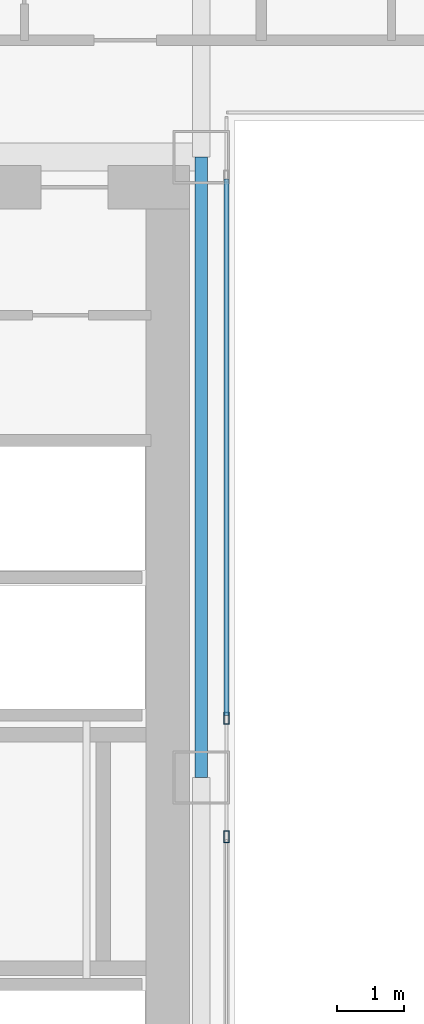
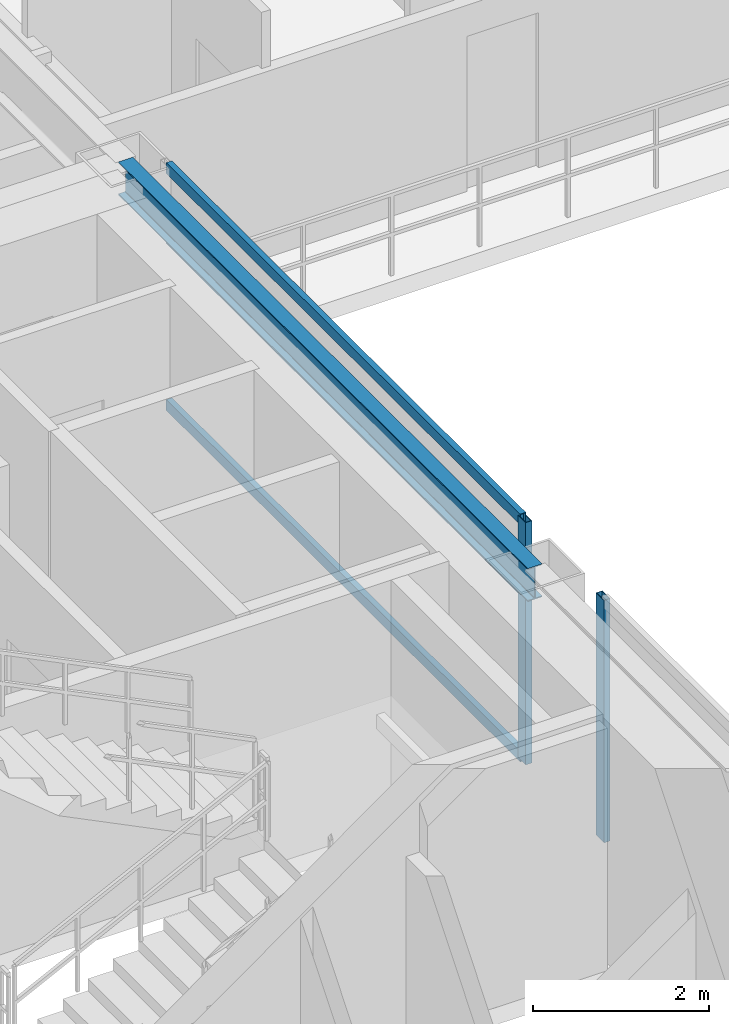
# One storey, part 10 of 39: 5 members, 1 beam, 2 elements without a shape of their own.
"""IFC4 building model written with IfcOpenShell, lengths in metres."""

from ifc_helpers import new_model, si_unit, direction, frame, origin, origin_2d, place, context, subcontext, project, spatial, hollow_rectangle, i_section, extrude, source, transform, mapped, material, layer, layer_set, material_profile, profile_set, type_object, element, aggregate, save


model = new_model("IFC4")

# Units and contexts
model_context = context("Model", 3, precision=1e-05, world=origin(), true_north=direction((0.0, 1.0)))
body_context = subcontext(model_context, "Body", "Model", "MODEL_VIEW")
ifc_project = project(units=[si_unit("LENGTHUNIT", "METRE"), si_unit("AREAUNIT", "SQUARE_METRE"), si_unit("VOLUMEUNIT", "CUBIC_METRE"), si_unit("PLANEANGLEUNIT", "RADIAN"), si_unit("MASSUNIT", "GRAM", prefix="KILO")], contexts=[model_context])

# Site, building, storey
site_placement = place(None, origin())
site = spatial("IfcSite", under=ifc_project, at=site_placement, CompositionType="ELEMENT")
building_placement = place(site_placement, origin())
building = spatial("IfcBuilding", under=site, at=building_placement, Name="Ocotamira Hotel", CompositionType="ELEMENT")
storey_placement = place(building_placement, frame((0.0, 0.0, 104.39990234375)))
storey = spatial("IfcBuildingStorey", under=building, at=storey_placement, Name="L25", CompositionType="ELEMENT", Elevation=104.39990234375)

# Beam
ifc_material_1 = material(Name="Steel ASTM A992 Grade 50", Category="steel")
ifc_material_profile_1 = material_profile(ifc_material_1, i_section(OverallWidth=0.18994140625, OverallDepth=0.45703125, WebThickness=0.009033203125, FlangeThickness=0.014404296875, FilletRadius=0.010009765625, at=origin_2d()), Name="W18X50")
ifc_profile_set_1 = profile_set([ifc_material_profile_1], Name="Steel ASTM A992 Grade 50")
beam_type = type_object("IfcBeamType", Name="BM-SEC-W18X50", PredefinedType="JOIST", material=ifc_profile_set_1)
shared_shape_1 = source(origin(), body_context, "Body", "SweptSolid", [
    extrude(i_section(OverallWidth=0.18994140625, OverallDepth=0.45703125, WebThickness=0.009033203125, FlangeThickness=0.014404296875, FilletRadius=0.010009765625, at=origin_2d()), origin(), (0.0, 0.0, 1.0), 9.300048828125),
])
beam_placement = place(storey_placement, frame((23.5, 28.14990234375, 3.131591796875), z_axis=(0.0, 1.0, 0.0), x_axis=(-1.0, 0.0, 0.0)))
element("IfcBeam", 1, at=beam_placement, inside=storey, type_object=beam_type, Name="L25 Beam X23.5 Y28.15-37.45", PredefinedType="JOIST", context=body_context, shape_type="MappedRepresentation", body=[
    mapped(shared_shape_1, transform((0.0, 0.0, 0.0), scale=1.0)),
])

# Curtain wall, members
ifc_material_2 = material(Name="Anodised pale-metal aluminium and solar glass", Category="aluminium")
ifc_layer = layer(ifc_material_2, 0.159912109375)
ifc_layer_set = layer_set([ifc_layer], Name="Anodised pale-metal aluminium and solar glass")
curtain_wall_type = type_object("IfcCurtainWallType", Name="CW-SYS6-ATR", PredefinedType="NOTDEFINED", material=ifc_layer_set)
curtain_wall_1_placement = place(storey_placement, origin())
curtain_wall_1 = element("IfcCurtainWall", 2, at=curtain_wall_1_placement, inside=storey, type_object=curtain_wall_type, Name="L25 Curtain Wall CW-6 CW-L25-ATRW2", PredefinedType="NOTDEFINED")
ifc_material_3 = material(Name="Anodised pale-metal aluminium 6063-T6", Category="aluminium")
ifc_material_profile_2 = material_profile(ifc_material_3, hollow_rectangle(XDim=0.074951171875, YDim=0.14990234375, WallThickness=0.006103515625, at=origin_2d()), Name="HSS150X75X6")
ifc_profile_set_2 = profile_set([ifc_material_profile_2], Name="Anodised pale-metal aluminium 6063-T6")
member_type_1 = type_object("IfcMemberType", Name="CWT-150X75", PredefinedType="USERDEFINED", material=ifc_profile_set_2)
shared_shape_2 = source(origin(), body_context, "Body", "SweptSolid", [
    extrude(hollow_rectangle(XDim=0.074951171875, YDim=0.14990234375, WallThickness=0.006103515625, at=origin_2d()), origin(), (0.0, 0.0, 1.0), 8.0400390625),
])
member_1_placement = place(storey_placement, frame((23.8798828125, 29.080078125, 0.03759765625), z_axis=(0.0, 1.0, 0.0), x_axis=(-1.0, 0.0, 0.0)))
member_1 = element("IfcMember", 3, at=member_1_placement, type_object=member_type_1, Name="CW-6 transom 1.1", ObjectType="TRANSOM", PredefinedType="USERDEFINED", context=body_context, shape_type="MappedRepresentation", body=[
    mapped(shared_shape_2, transform((0.0, 0.0, 0.0), scale=1.0)),
])
member_2_placement = place(storey_placement, frame((23.8798828125, 29.080078125, 2.35009765625), z_axis=(0.0, 1.0, 0.0), x_axis=(-1.0, 0.0, 0.0)))
member_2 = element("IfcMember", 4, at=member_2_placement, type_object=member_type_1, Name="CW-6 transom 1.2", ObjectType="TRANSOM", PredefinedType="USERDEFINED", context=body_context, shape_type="MappedRepresentation", body=[
    mapped(shared_shape_2, transform((0.0, 0.0, 0.0), scale=1.0)),
])
member_3_placement = place(storey_placement, frame((23.8798828125, 29.080078125, 3.322509765625), z_axis=(0.0, 1.0, 0.0), x_axis=(-1.0, 0.0, 0.0)))
member_3 = element("IfcMember", 5, at=member_3_placement, type_object=member_type_1, Name="CW-6 transom 1.3", ObjectType="TRANSOM", PredefinedType="USERDEFINED", context=body_context, shape_type="MappedRepresentation", body=[
    mapped(shared_shape_2, transform((0.0, 0.0, 0.0), scale=1.0)),
])

# Curtain wall, member
curtain_wall_2_placement = place(storey_placement, origin())
curtain_wall_2 = element("IfcCurtainWall", 6, at=curtain_wall_2_placement, inside=storey, type_object=curtain_wall_type, Name="L25 Curtain Wall CW-6 CW-L25-ATRW1", PredefinedType="NOTDEFINED")
ifc_material_profile_3 = material_profile(ifc_material_3, hollow_rectangle(XDim=0.080078125, YDim=0.179931640625, WallThickness=0.006103515625, at=origin_2d()), Name="HSS180X80X6")
ifc_profile_set_3 = profile_set([ifc_material_profile_3], Name="Anodised pale-metal aluminium 6063-T6")
member_type_2 = type_object("IfcMemberType", Name="CWM-180X75", PredefinedType="MULLION", material=ifc_profile_set_3)
shared_shape_3 = source(origin(), body_context, "Body", "SweptSolid", [
    extrude(hollow_rectangle(XDim=0.080078125, YDim=0.179931640625, WallThickness=0.006103515625, at=origin_2d()), origin(), (0.0, 0.0, 1.0), 3.360107421875),
])
member_4_placement = place(storey_placement, frame((23.8798828125, 27.260009765625, 0.0), z_axis=(0.0, 0.0, 1.0), x_axis=(-1.0, 0.0, 0.0)))
member_4 = element("IfcMember", 7, at=member_4_placement, type_object=member_type_2, Name="CW-6 mullion 3", PredefinedType="MULLION", context=body_context, shape_type="MappedRepresentation", body=[
    mapped(shared_shape_3, transform((0.0, 0.0, 0.0), scale=1.0)),
])
aggregate(curtain_wall_2, [member_4])

# Member
member_5_placement = place(storey_placement, frame((23.8798828125, 29.0400390625, 0.0), z_axis=(0.0, 0.0, 1.0), x_axis=(-1.0, 0.0, 0.0)))
member_5 = element("IfcMember", 8, at=member_5_placement, type_object=member_type_2, Name="CW-6 mullion 1", PredefinedType="MULLION", context=body_context, shape_type="MappedRepresentation", body=[
    mapped(shared_shape_3, transform((0.0, 0.0, 0.0), scale=1.0)),
])

aggregate(curtain_wall_1, [member_5, member_1, member_2, member_3])

save(model, "model.ifc")
